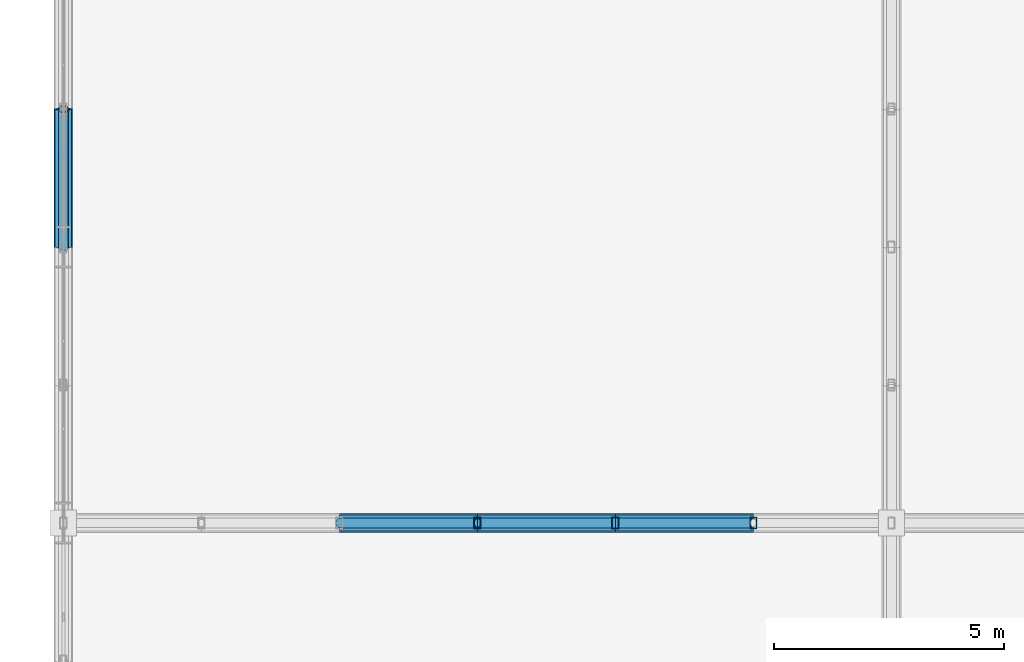
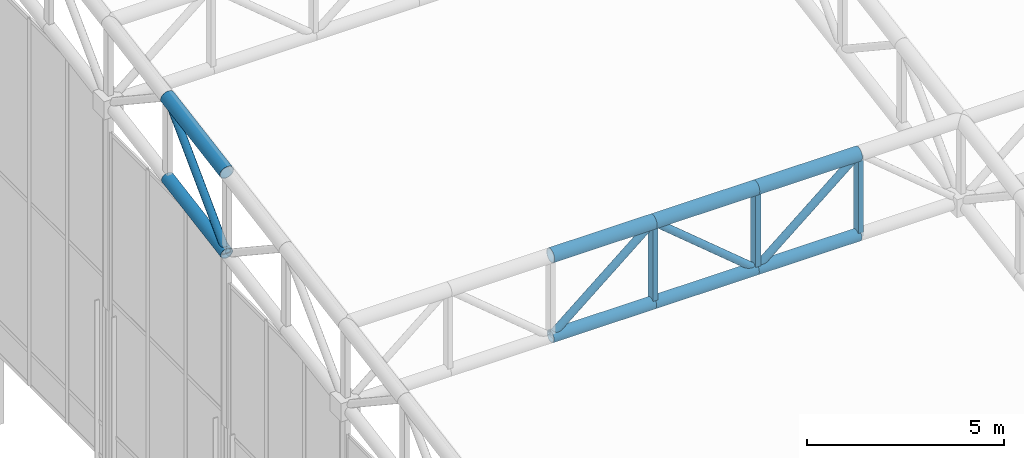
# One storey, part 78 of 239: 15 members.
"""IFC4 building model written with IfcOpenShell, lengths in metres."""

from ifc_helpers import new_model, si_unit, direction, frame, origin, origin_2d, place, context, subcontext, project, spatial, hollow_rectangle, hollow_circle, extrude, material, material_profile, profile_set, type_object, element, save


model = new_model("IFC4")

# Units and contexts
model_context = context("Model", 3, precision=1e-05, world=origin(), true_north=direction((0.0, 1.0)))
body_context = subcontext(model_context, "Body", "Model", "MODEL_VIEW")
ifc_project = project(units=[si_unit("LENGTHUNIT", "METRE"), si_unit("AREAUNIT", "SQUARE_METRE"), si_unit("VOLUMEUNIT", "CUBIC_METRE"), si_unit("PLANEANGLEUNIT", "RADIAN"), si_unit("MASSUNIT", "GRAM", prefix="KILO")], contexts=[model_context])

# Site, building, storey
site_placement = place(None, origin())
site = spatial("IfcSite", under=ifc_project, at=site_placement, CompositionType="ELEMENT")
building_placement = place(site_placement, origin())
building = spatial("IfcBuilding", under=site, at=building_placement, Name="Kaldris Quays Convention Centre", CompositionType="ELEMENT")
storey_placement = place(building_placement, frame((0.0, 0.0, 11.39990234375)))
storey = spatial("IfcBuildingStorey", under=building, at=storey_placement, Name="L02", CompositionType="ELEMENT", Elevation=11.39990234375)

# Members
ifc_material = material(Name="Steel S355J2H", Category="steel")
ifc_material_profile_1 = material_profile(ifc_material, hollow_circle(Radius=0.203125, WallThickness=0.01611328125, at=origin_2d()), Name="CHS 406.4x16")
ifc_profile_set_1 = profile_set([ifc_material_profile_1], Name="Steel S355J2H")
member_type_1 = type_object("IfcMemberType", Name="STRUCTURAL MEMBER SC01", PredefinedType="CHORD", material=ifc_profile_set_1)
for number, where, z_axis, x_axis, name in (
    (1, (26.0, 80.0, 13.7861328125), (1.0, 0.0, 0.0), (0.0, 1.0, 0.0), "SF-V1 Top Chord X 87"),
    (2, (29.0, 80.0, 13.7861328125), (1.0, 0.0, 0.0), (0.0, 1.0, 0.0), "SF-V1 Top Chord X 88"),
    (3, (32.0, 80.0, 13.7861328125), (1.0, 0.0, 0.0), (0.0, 1.0, 0.0), "SF-V1 Top Chord X 89"),
):
    element("IfcMember", number, at=place(storey_placement, frame(where, z_axis=z_axis, x_axis=x_axis)), inside=storey, type_object=member_type_1, Name=name, PredefinedType="CHORD", context=body_context, shape_type="SweptSolid", body=[
        extrude(hollow_circle(Radius=0.203125, WallThickness=0.01611328125, at=origin_2d()), origin(), (0.0, 0.0, 1.0), 3.0),
    ])
member_1_placement = place(storey_placement, frame((20.0, 86.0, 14.814697265625), z_axis=(0.0, 0.985615766076, 0.169001661712), x_axis=(-1.0, 0.0, 0.0)))
element("IfcMember", 4, at=member_1_placement, inside=storey, type_object=member_type_1, Name="SF-V1 Top Chord Y 347", PredefinedType="CHORD", context=body_context, shape_type="SweptSolid", body=[
    extrude(hollow_circle(Radius=0.203125, WallThickness=0.01611328125, at=origin_2d()), origin(), (0.0, 0.0, 1.0), 3.043701171875),
])
ifc_material_profile_2 = material_profile(ifc_material, hollow_circle(Radius=0.177734375, WallThickness=0.01611328125, at=origin_2d()), Name="CHS 355.6x16")
ifc_profile_set_2 = profile_set([ifc_material_profile_2], Name="Steel S355J2H")
member_type_2 = type_object("IfcMemberType", Name="STRUCTURAL MEMBER SC02", PredefinedType="CHORD", material=ifc_profile_set_2)
for number, where, z_axis, x_axis, name in (
    (5, (26.0, 80.0, 11.2861328125), (1.0, 0.0, 0.0), (0.0, 1.0, 0.0), "SF-V1 Bottom Chord X 87"),
    (6, (29.0, 80.0, 11.2861328125), (1.0, 0.0, 0.0), (0.0, 1.0, 0.0), "SF-V1 Bottom Chord X 88"),
    (7, (32.0, 80.0, 11.2861328125), (1.0, 0.0, 0.0), (0.0, 1.0, 0.0), "SF-V1 Bottom Chord X 89"),
):
    element("IfcMember", number, at=place(storey_placement, frame(where, z_axis=z_axis, x_axis=x_axis)), inside=storey, type_object=member_type_2, Name=name, PredefinedType="CHORD", context=body_context, shape_type="SweptSolid", body=[
        extrude(hollow_circle(Radius=0.177734375, WallThickness=0.01611328125, at=origin_2d()), origin(), (0.0, 0.0, 1.0), 3.0),
    ])
member_2_placement = place(storey_placement, frame((20.0, 86.0, 12.314697265625), z_axis=(0.0, 0.985615766076, 0.169001661712), x_axis=(-1.0, 0.0, 0.0)))
element("IfcMember", 8, at=member_2_placement, inside=storey, type_object=member_type_2, Name="SF-V1 Bottom Chord Y 347", PredefinedType="CHORD", context=body_context, shape_type="SweptSolid", body=[
    extrude(hollow_circle(Radius=0.177734375, WallThickness=0.01611328125, at=origin_2d()), origin(), (0.0, 0.0, 1.0), 3.043701171875),
])
ifc_material_profile_3 = material_profile(ifc_material, hollow_circle(Radius=0.109619140625, WallThickness=0.010009765625, at=origin_2d()), Name="CHS 219.1x10")
ifc_profile_set_3 = profile_set([ifc_material_profile_3], Name="Steel S355J2H")
member_type_3 = type_object("IfcMemberType", Name="STRUCTURAL MEMBER SWB1", PredefinedType="BRACE", material=ifc_profile_set_3)
for number, where, z_axis, x_axis, name in (
    (9, (26.0, 80.0, 11.2861328125), (0.768221279597, 0.0, 0.640184399664), (0.0, 1.0, 0.0), "SF-V1 Web Diagonal X 87"),
    (10, (32.0, 80.0, 11.2861328125), (-0.768221279597, 0.0, 0.640184399664), (0.0, -1.0, 0.0), "SF-V1 Web Diagonal X 88"),
    (11, (32.0, 80.0, 11.2861328125), (0.768221279597, 0.0, 0.640184399664), (0.0, 1.0, 0.0), "SF-V1 Web Diagonal X 89"),
):
    element("IfcMember", number, at=place(storey_placement, frame(where, z_axis=z_axis, x_axis=x_axis)), inside=storey, type_object=member_type_3, Name=name, PredefinedType="BRACE", context=body_context, shape_type="SweptSolid", body=[
        extrude(hollow_circle(Radius=0.109619140625, WallThickness=0.010009765625, at=origin_2d()), origin(), (0.0, 0.0, 1.0), 3.905029296875),
    ])
member_3_placement = place(storey_placement, frame((20.0, 86.0, 12.314697265625), z_axis=(0.0, 0.705411261057, 0.708798245465), x_axis=(-1.0, 0.0, 0.0)))
element("IfcMember", 12, at=member_3_placement, inside=storey, type_object=member_type_3, Name="SF-V1 Web Diagonal Y 347", PredefinedType="BRACE", context=body_context, shape_type="SweptSolid", body=[
    extrude(hollow_circle(Radius=0.109619140625, WallThickness=0.010009765625, at=origin_2d()), origin(), (0.0, 0.0, 1.0), 4.2529296875),
])
ifc_material_profile_4 = material_profile(ifc_material, hollow_rectangle(XDim=0.14990234375, YDim=0.25, WallThickness=0.010009765625, at=origin_2d()), Name="RHS 250x150x10")
ifc_profile_set_4 = profile_set([ifc_material_profile_4], Name="Steel S355J2H")
member_type_4 = type_object("IfcMemberType", Name="STRUCTURAL MEMBER TTV1", PredefinedType="POST", material=ifc_profile_set_4)
for number, where, z_axis, x_axis, name in (
    (13, (29.0, 80.0, 11.2861328125), (0.0, 0.0, 1.0), (1.0, 0.0, 0.0), "SF-V1 Space-Frame Post 48"),
    (14, (32.0, 80.0, 11.2861328125), (0.0, 0.0, 1.0), (1.0, 0.0, 0.0), "SF-V1 Space-Frame Post 56"),
    (15, (35.0, 80.0, 11.2861328125), (0.0, 0.0, 1.0), (1.0, 0.0, 0.0), "SF-V1 Space-Frame Post 64"),
):
    element("IfcMember", number, at=place(storey_placement, frame(where, z_axis=z_axis, x_axis=x_axis)), inside=storey, type_object=member_type_4, Name=name, PredefinedType="POST", context=body_context, shape_type="SweptSolid", body=[
        extrude(hollow_rectangle(XDim=0.14990234375, YDim=0.25, WallThickness=0.010009765625, at=origin_2d()), origin(), (0.0, 0.0, 1.0), 2.5),
    ])

save(model, "model.ifc")
